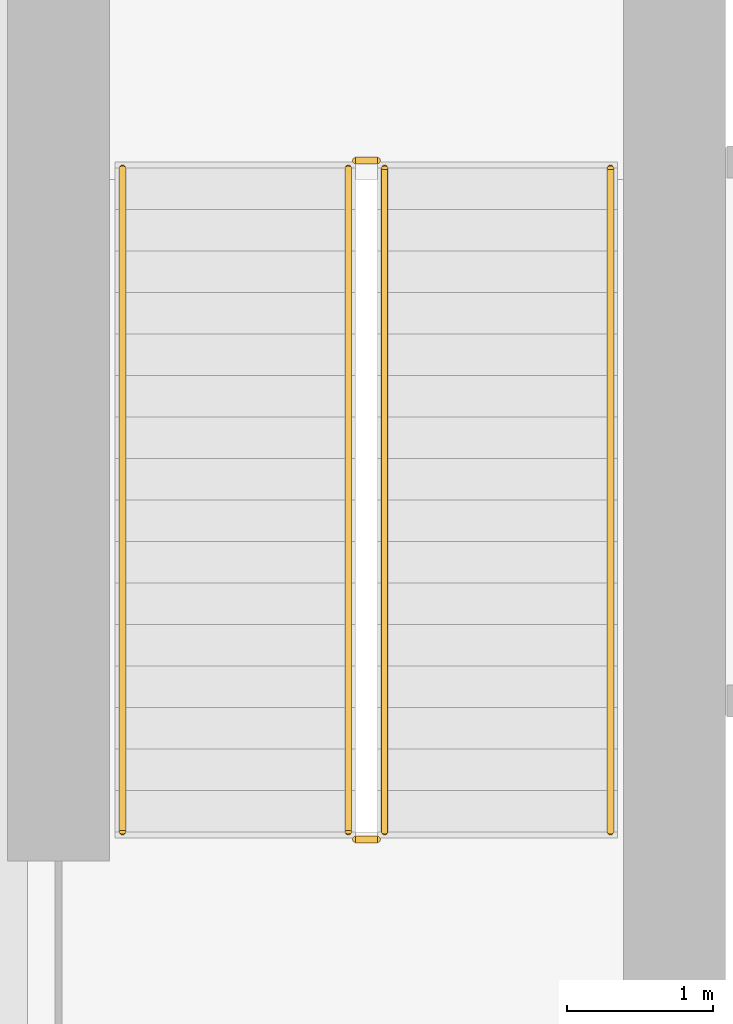
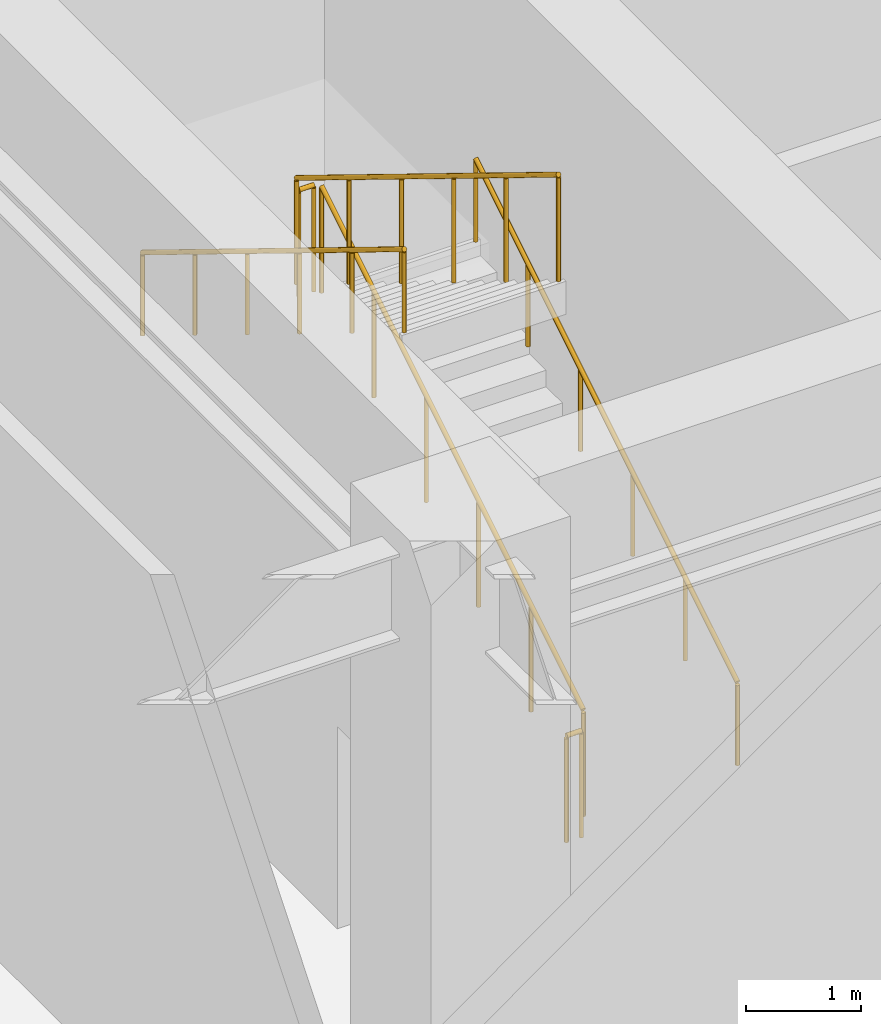
# One storey, part 17 of 21: 6 railings.
"""IFC4 building model written with IfcOpenShell, lengths in metres."""

from ifc_helpers import new_model, si_unit, direction, frame, origin, origin_2d, place, context, subcontext, project, spatial, circle, extrude, material, type_object, element, save


model = new_model("IFC4")

# Units and contexts
model_context = context("Model", 3, precision=1e-05, world=origin(), true_north=direction((0.0, 1.0)))
body_context = subcontext(model_context, "Body", "Model", "MODEL_VIEW")
ifc_project = project(units=[si_unit("LENGTHUNIT", "METRE"), si_unit("AREAUNIT", "SQUARE_METRE"), si_unit("VOLUMEUNIT", "CUBIC_METRE"), si_unit("PLANEANGLEUNIT", "RADIAN"), si_unit("MASSUNIT", "GRAM", prefix="KILO")], contexts=[model_context])

# Site, building, storey
site_placement = place(None, origin())
site = spatial("IfcSite", under=ifc_project, at=site_placement, CompositionType="ELEMENT")
building_placement = place(site_placement, origin())
building = spatial("IfcBuilding", under=site, at=building_placement, Name="Nhamokura Convention Tower", CompositionType="ELEMENT")
storey_placement = place(building_placement, frame((0.0, 0.0, 17.85009765625)))
storey = spatial("IfcBuildingStorey", under=building, at=storey_placement, Name="L03", CompositionType="ELEMENT", Elevation=17.85009765625)

# Railings
ifc_material_1 = material(Name="Anodised bronze stainless steel", Category="steel")
railing_type_1 = type_object("IfcRailingType", Name="StairWallHandrail_900", PredefinedType="HANDRAIL", material=ifc_material_1)
railing_1_placement = place(storey_placement, frame((24.85009765625, 23.10009765625, 0.1748046875)))
element("IfcRailing", 1, at=railing_1_placement, inside=storey, type_object=railing_type_1, Name="L03 ST-01 stair handrail 1", PredefinedType="HANDRAIL", context=body_context, shape_type="SweptSolid", body=[
    extrude(circle(Radius=0.02392578125, at=origin_2d()), frame((0.0, 0.0, 0.8759765625), z_axis=(0.0, 0.852157662035, 0.523285122122), x_axis=(-1.0, 0.0, 0.0)), (0.0, 0.0, 1.0), 5.350830078125),
    extrude(circle(Radius=0.02099609375, at=origin_2d()), origin(), (0.0, 0.0, 1.0), 0.851806640625),
    extrude(circle(Radius=0.02099609375, at=origin_2d()), frame((0.0, 0.911865234375, 0.56005859375)), (0.0, 0.0, 1.0), 0.851806640625),
    extrude(circle(Radius=0.02099609375, at=origin_2d()), frame((0.0, 1.823974609375, 1.1201171875)), (0.0, 0.0, 1.0), 0.851806640625),
    extrude(circle(Radius=0.02099609375, at=origin_2d()), frame((0.0, 2.73583984375, 1.679931640625)), (0.0, 0.0, 1.0), 0.851806640625),
    extrude(circle(Radius=0.02099609375, at=origin_2d()), frame((0.0, 3.64794921875, 2.239990234375)), (0.0, 0.0, 1.0), 0.851806640625),
    extrude(circle(Radius=0.02099609375, at=origin_2d()), frame((0.0, 4.559814453125, 2.800048828125)), (0.0, 0.0, 1.0), 0.851806640625),
])
railing_2_placement = place(storey_placement, frame((21.5, 27.659912109375, 3.14990234375)))
element("IfcRailing", 2, at=railing_2_placement, inside=storey, type_object=railing_type_1, Name="L03 ST-01 stair handrail 2", PredefinedType="HANDRAIL", context=body_context, shape_type="SweptSolid", body=[
    extrude(circle(Radius=0.02392578125, at=origin_2d()), frame((0.0, 0.0, 0.8759765625), z_axis=(0.0, -0.852157662035, 0.523285122122), x_axis=(1.0, 0.0, 0.0)), (0.0, 0.0, 1.0), 5.350830078125),
    extrude(circle(Radius=0.02099609375, at=origin_2d()), origin(), (0.0, 0.0, 1.0), 0.851806640625),
    extrude(circle(Radius=0.02099609375, at=origin_2d()), frame((0.0, -0.911865234375, 0.56005859375)), (0.0, 0.0, 1.0), 0.851806640625),
    extrude(circle(Radius=0.02099609375, at=origin_2d()), frame((0.0, -1.823974609375, 1.1201171875)), (0.0, 0.0, 1.0), 0.851806640625),
    extrude(circle(Radius=0.02099609375, at=origin_2d()), frame((0.0, -2.73583984375, 1.679931640625)), (0.0, 0.0, 1.0), 0.851806640625),
    extrude(circle(Radius=0.02099609375, at=origin_2d()), frame((0.0, -3.64794921875, 2.239990234375)), (0.0, 0.0, 1.0), 0.851806640625),
    extrude(circle(Radius=0.02099609375, at=origin_2d()), frame((0.0, -4.559814453125, 2.800048828125)), (0.0, 0.0, 1.0), 0.851806640625),
])
ifc_material_2 = material(Name="Painted tubular steel", Category="steel")
railing_type_2 = type_object("IfcRailingType", Name="StairWellGuardrail_1150", PredefinedType="GUARDRAIL", material=ifc_material_2)
railing_3_placement = place(storey_placement, frame((23.300048828125, 23.10009765625, 0.1748046875)))
element("IfcRailing", 3, at=railing_3_placement, inside=storey, type_object=railing_type_2, Name="L03 ST-01 stair guard 1", PredefinedType="GUARDRAIL", context=body_context, shape_type="SweptSolid", body=[
    extrude(circle(Radius=0.02392578125, at=origin_2d()), frame((0.0, 0.0, 1.1259765625), z_axis=(0.0, 0.852157662035, 0.523285122122), x_axis=(-1.0, 0.0, 0.0)), (0.0, 0.0, 1.0), 5.350830078125),
    extrude(circle(Radius=0.02099609375, at=origin_2d()), origin(), (0.0, 0.0, 1.0), 1.101806640625),
    extrude(circle(Radius=0.02099609375, at=origin_2d()), frame((0.0, 0.911865234375, 0.56005859375)), (0.0, 0.0, 1.0), 1.101806640625),
    extrude(circle(Radius=0.02099609375, at=origin_2d()), frame((0.0, 1.823974609375, 1.1201171875)), (0.0, 0.0, 1.0), 1.101806640625),
    extrude(circle(Radius=0.02099609375, at=origin_2d()), frame((0.0, 2.73583984375, 1.679931640625)), (0.0, 0.0, 1.0), 1.101806640625),
    extrude(circle(Radius=0.02099609375, at=origin_2d()), frame((0.0, 3.64794921875, 2.239990234375)), (0.0, 0.0, 1.0), 1.101806640625),
    extrude(circle(Radius=0.02099609375, at=origin_2d()), frame((0.0, 4.559814453125, 2.800048828125)), (0.0, 0.0, 1.0), 1.101806640625),
])
railing_4_placement = place(storey_placement, frame((23.25, 27.7099609375, 2.974853515625)))
element("IfcRailing", 4, at=railing_4_placement, inside=storey, type_object=railing_type_2, Name="L03 ST-01 stair guard 2", PredefinedType="GUARDRAIL", context=body_context, shape_type="SweptSolid", body=[
    extrude(circle(Radius=0.02392578125, at=origin_2d()), frame((0.0, 0.0, 1.1259765625), z_axis=(-1.0, 0.0, 0.0), x_axis=(0.0, -1.0, 0.0)), (0.0, 0.0, 1.0), 0.14990234375),
    extrude(circle(Radius=0.02099609375, at=origin_2d()), origin(), (0.0, 0.0, 1.0), 1.101806640625),
    extrude(circle(Radius=0.02099609375, at=origin_2d()), frame((-0.14990234375, 0.0, 0.0)), (0.0, 0.0, 1.0), 1.101806640625),
])
railing_5_placement = place(storey_placement, frame((23.050048828125, 27.659912109375, 3.14990234375)))
element("IfcRailing", 5, at=railing_5_placement, inside=storey, type_object=railing_type_2, Name="L03 ST-01 stair guard 3", PredefinedType="GUARDRAIL", context=body_context, shape_type="SweptSolid", body=[
    extrude(circle(Radius=0.02392578125, at=origin_2d()), frame((0.0, 0.0, 1.1259765625), z_axis=(0.0, -0.852157662035, 0.523285122122), x_axis=(1.0, 0.0, 0.0)), (0.0, 0.0, 1.0), 5.350830078125),
    extrude(circle(Radius=0.02099609375, at=origin_2d()), origin(), (0.0, 0.0, 1.0), 1.101806640625),
    extrude(circle(Radius=0.02099609375, at=origin_2d()), frame((0.0, -0.911865234375, 0.56005859375)), (0.0, 0.0, 1.0), 1.101806640625),
    extrude(circle(Radius=0.02099609375, at=origin_2d()), frame((0.0, -1.823974609375, 1.1201171875)), (0.0, 0.0, 1.0), 1.101806640625),
    extrude(circle(Radius=0.02099609375, at=origin_2d()), frame((0.0, -2.73583984375, 1.679931640625)), (0.0, 0.0, 1.0), 1.101806640625),
    extrude(circle(Radius=0.02099609375, at=origin_2d()), frame((0.0, -3.64794921875, 2.239990234375)), (0.0, 0.0, 1.0), 1.101806640625),
    extrude(circle(Radius=0.02099609375, at=origin_2d()), frame((0.0, -4.559814453125, 2.800048828125)), (0.0, 0.0, 1.0), 1.101806640625),
])
railing_6_placement = place(storey_placement, frame((23.25, 23.050048828125, 0.0)))
element("IfcRailing", 6, at=railing_6_placement, inside=storey, type_object=railing_type_2, Name="L03 ST-01 stair guard 4", PredefinedType="GUARDRAIL", context=body_context, shape_type="SweptSolid", body=[
    extrude(circle(Radius=0.02392578125, at=origin_2d()), frame((0.0, 0.0, 1.1259765625), z_axis=(-1.0, 0.0, 0.0), x_axis=(0.0, -1.0, 0.0)), (0.0, 0.0, 1.0), 0.14990234375),
    extrude(circle(Radius=0.02099609375, at=origin_2d()), origin(), (0.0, 0.0, 1.0), 1.101806640625),
    extrude(circle(Radius=0.02099609375, at=origin_2d()), frame((-0.14990234375, 0.0, 0.0)), (0.0, 0.0, 1.0), 1.101806640625),
])

save(model, "model.ifc")
